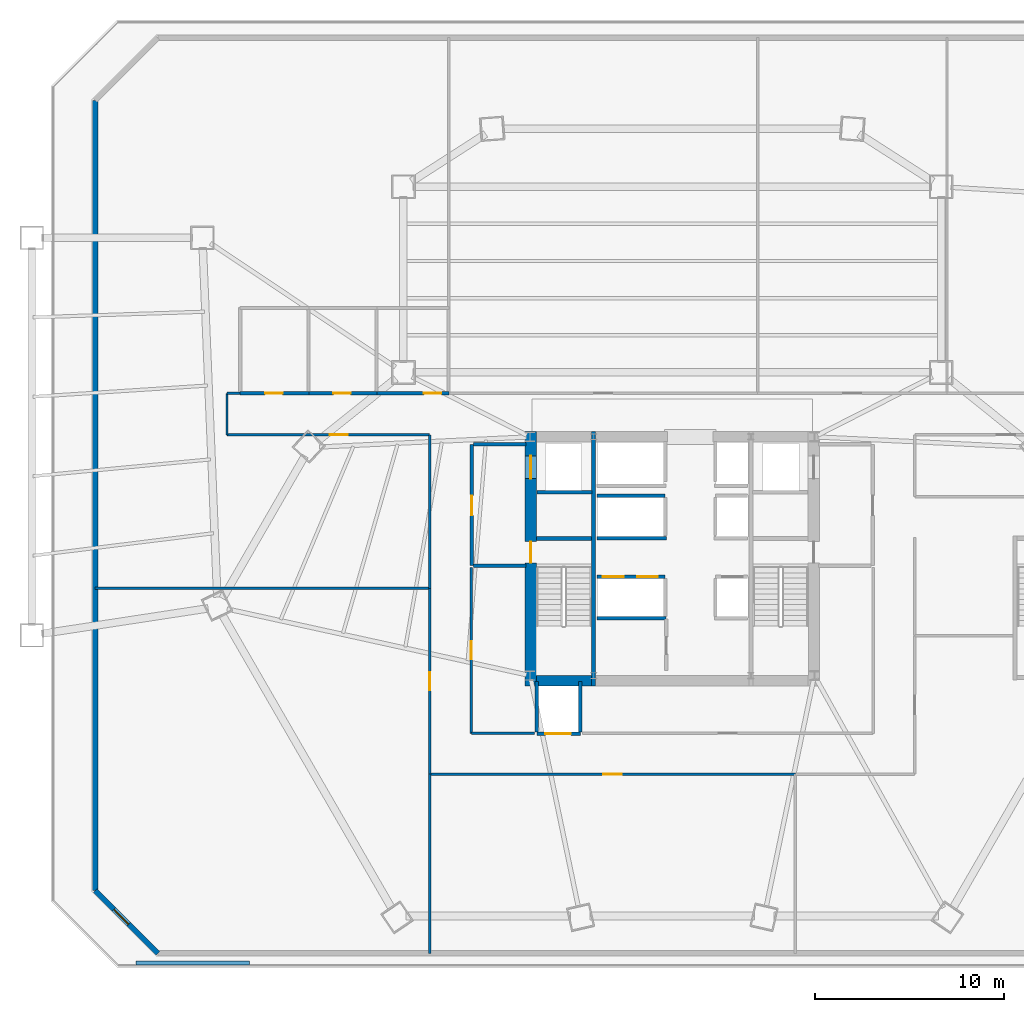
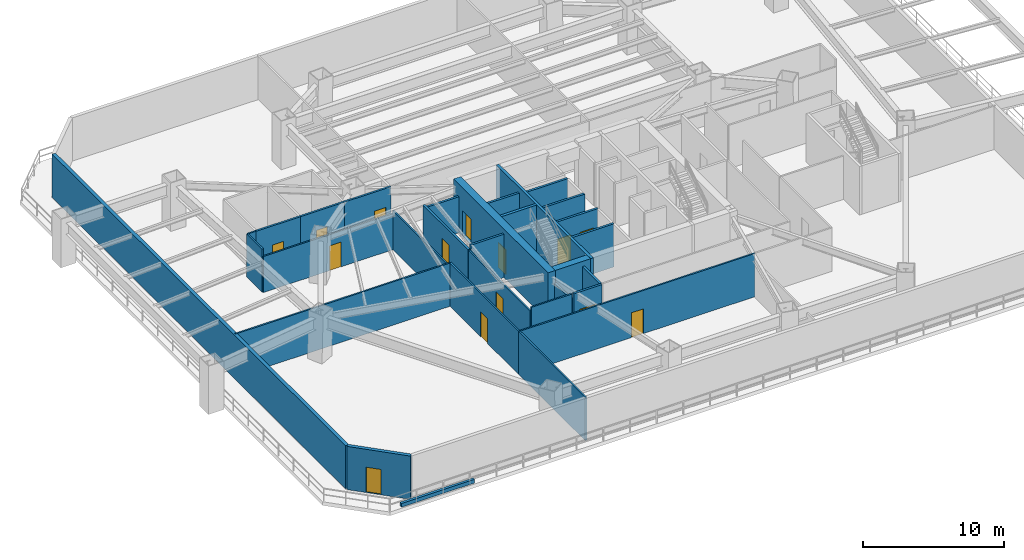
# One storey, part 5 of 12: 31 walls, 14 doors, 14 openings.
"""IFC4 building model written with IfcOpenShell, lengths in metres."""

from ifc_helpers import new_model, si_unit, direction, frame, frame_2d, origin, place, context, subcontext, project, spatial, rectangle, extrude, material, layer, layer_set, type_object, element, fill, save


model = new_model("IFC4")

# Units and contexts
model_context = context("Model", 3, precision=1e-05, world=origin(), true_north=direction((0.0, 1.0)))
body_context = subcontext(model_context, "Body", "Model", "MODEL_VIEW")
ifc_project = project(units=[si_unit("LENGTHUNIT", "METRE"), si_unit("AREAUNIT", "SQUARE_METRE"), si_unit("VOLUMEUNIT", "CUBIC_METRE"), si_unit("PLANEANGLEUNIT", "RADIAN"), si_unit("MASSUNIT", "GRAM", prefix="KILO")], contexts=[model_context])

# Site, building, storey
site_placement = place(None, origin())
site = spatial("IfcSite", under=ifc_project, at=site_placement, CompositionType="ELEMENT")
building_placement = place(site_placement, origin())
building = spatial("IfcBuilding", under=site, at=building_placement, Name="Caelisora Broadcast Tower", CompositionType="ELEMENT")
storey_placement = place(building_placement, frame((0.0, 0.0, 18.89990234375)))
storey = spatial("IfcBuildingStorey", under=building, at=storey_placement, Name="L04", CompositionType="ELEMENT", Elevation=18.89990234375)

# Wall, openings, doors
ifc_material_1 = material(Name="Concrete 65 MPa (AS 3600 S65)", Category="concrete")
ifc_layer_1 = layer(ifc_material_1, 0.60009765625, Name="Concrete 65 MPa (AS 3600 S65)")
ifc_layer_set_1 = layer_set([ifc_layer_1], Name="Concrete 65 MPa (AS 3600 S65)")
wall_type_1 = type_object("IfcWallType", Name="CW1", PredefinedType="SHEAR", material=ifc_layer_set_1)
wall_1_placement = place(storey_placement, frame((30.5400390625, 16.85009765625, 0.0), z_axis=(0.0, 0.0, 1.0), x_axis=(0.0, 1.0, 0.0)))
wall_1 = element("IfcWall", 1, at=wall_1_placement, inside=storey, type_object=wall_type_1, Name="L04 core shear wall CW1", PredefinedType="SHEAR", context=body_context, shape_type="SweptSolid", body=[
    extrude(rectangle(XDim=13.4248046875, YDim=0.60009765625, at=frame_2d((6.71240234375, 0.0))), origin(), (0.0, 0.0, 1.0), 4.2001953125),
])
opening_1_placement = place(wall_1_placement, frame((6.5, 0.0, 0.0)))
opening_1 = element("IfcOpeningElement", 2, at=opening_1_placement, cuts=wall_1, Name="Opening FD04", PredefinedType="OPENING", context=body_context, shape_type="SweptSolid", body=[
    extrude(rectangle(XDim=1.1201171875, YDim=2.14990234375, at=frame_2d((0.56005859375, 1.074951171875))), frame((0.0, 0.31201171875, 0.0), z_axis=(0.0, -1.0, 0.0), x_axis=(1.0, 0.0, 0.0)), (0.0, 0.0, 1.0), 0.6240234375),
])
opening_2_placement = place(wall_1_placement, frame((10.949951171875, 0.0, 0.0)))
opening_2 = element("IfcOpeningElement", 3, at=opening_2_placement, cuts=wall_1, Name="Opening LD04", PredefinedType="OPENING", context=body_context, shape_type="SweptSolid", body=[
    extrude(rectangle(XDim=1.199951171875, YDim=2.199951171875, at=frame_2d((0.60009765625, 1.10009765625))), frame((0.0, 0.31201171875, 0.0), z_axis=(0.0, -1.0, 0.0), x_axis=(1.0, 0.0, 0.0)), (0.0, 0.0, 1.0), 0.6240234375),
])
ifc_material_2 = material(Name="Pressurised Fire-Isolated Stair Door", Category="steel")
door_type_1 = type_object("IfcDoorType", Name="FD04", OperationType="NOTDEFINED", PredefinedType="DOOR", material=ifc_material_2)
door_1_placement = place(opening_1_placement, origin())
door_1 = element("IfcDoor", 4, at=door_1_placement, inside=storey, type_object=door_type_1, Name="L04 door FD04 (L04-DR-ST1)", OperationType="SINGLE_SWING_LEFT", OverallHeight=2.14990234375, OverallWidth=1.1201171875, PredefinedType="DOOR", context=body_context, shape_type="SweptSolid", body=[
    extrude(rectangle(XDim=1.1201171875, YDim=2.14990234375, at=frame_2d((0.56005859375, 1.074951171875))), frame((0.0, 0.02490234375, 0.0), z_axis=(0.0, -1.0, 0.0), x_axis=(1.0, 0.0, 0.0)), (0.0, 0.0, 1.0), 0.050048828125),
])
fill(opening_1, door_1)
ifc_material_3 = material(Name="Emergency Firefighting Lift Sliding Landing Door", Category="steel")
door_type_2 = type_object("IfcDoorType", Name="LD04", OperationType="NOTDEFINED", PredefinedType="DOOR", material=ifc_material_3)
door_2_placement = place(opening_2_placement, origin())
door_2 = element("IfcDoor", 5, at=door_2_placement, inside=storey, type_object=door_type_2, Name="L04 door LD04 (L04-LD-FFL1)", OperationType="SLIDING_TO_LEFT", OverallHeight=2.199951171875, OverallWidth=1.199951171875, PredefinedType="DOOR", context=body_context, shape_type="SweptSolid", body=[
    extrude(rectangle(XDim=1.199951171875, YDim=2.199951171875, at=frame_2d((0.60009765625, 1.10009765625))), frame((0.0, 0.02490234375, 0.0), z_axis=(0.0, -1.0, 0.0), x_axis=(1.0, 0.0, 0.0)), (0.0, 0.0, 1.0), 0.050048828125),
])
fill(opening_2, door_2)

# Walls
ifc_layer_2 = layer(ifc_material_1, 0.550048828125, Name="Concrete 65 MPa (AS 3600 S65)")
ifc_layer_set_2 = layer_set([ifc_layer_2], Name="Concrete 65 MPa (AS 3600 S65)")
wall_type_2 = type_object("IfcWallType", Name="CW4", PredefinedType="SHEAR", material=ifc_layer_set_2)
wall_2_placement = place(storey_placement, frame((30.840087890625, 17.125, 0.0), z_axis=(0.0, 0.0, 1.0), x_axis=(1.0, 0.0, 0.0)))
element("IfcWall", 6, at=wall_2_placement, inside=storey, type_object=wall_type_2, Name="L04 core shear wall CW4", PredefinedType="SHEAR", context=body_context, shape_type="SweptSolid", body=[
    extrude(rectangle(XDim=2.89990234375, YDim=0.550048828125, at=frame_2d((1.449951171875, 0.0))), origin(), (0.0, 0.0, 1.0), 4.2001953125),
])
ifc_material_4 = material(Name="Concrete 50 MPa (AS 3600 S50)", Category="concrete")
ifc_layer_3 = layer(ifc_material_4, 0.219970703125, Name="Concrete 50 MPa (AS 3600 S50)")
ifc_layer_set_3 = layer_set([ifc_layer_3], Name="Concrete 50 MPa (AS 3600 S50)")
wall_type_3 = type_object("IfcWallType", Name="CW7", PredefinedType="SHEAR", material=ifc_layer_set_3)
wall_3_placement = place(storey_placement, frame((33.85009765625, 16.85009765625, 0.0), z_axis=(0.0, 0.0, 1.0), x_axis=(0.0, 1.0, 0.0)))
element("IfcWall", 7, at=wall_3_placement, inside=storey, type_object=wall_type_3, Name="L04 core shear wall CW7", PredefinedType="SHEAR", context=body_context, shape_type="SweptSolid", body=[
    extrude(rectangle(XDim=13.4248046875, YDim=0.219970703125, at=frame_2d((6.71240234375, 0.0))), origin(), (0.0, 0.0, 1.0), 4.2001953125),
])
wall_4_placement = place(storey_placement, frame((30.840087890625, 24.639892578125, 0.0), z_axis=(0.0, 0.0, 1.0), x_axis=(1.0, 0.0, 0.0)))
element("IfcWall", 8, at=wall_4_placement, inside=storey, type_object=wall_type_3, Name="L04 core shear wall CW7", PredefinedType="SHEAR", context=body_context, shape_type="SweptSolid", body=[
    extrude(rectangle(XDim=2.89990234375, YDim=0.219970703125, at=frame_2d((1.449951171875, 0.0))), origin(), (0.0, 0.0, 1.0), 4.2001953125),
])

# Wall, opening, door
ifc_material_5 = material(Name="Insulated Terracotta Spandrel Wall System", Category="masonry")
ifc_layer_4 = layer(ifc_material_5, 0.280029296875, Name="Insulated Terracotta Spandrel Wall System")
ifc_layer_set_4 = layer_set([ifc_layer_4], Name="Insulated Terracotta Spandrel Wall System")
wall_type_4 = type_object("IfcWallType", Name="EW1", PredefinedType="STANDARD", material=ifc_layer_set_4)
wall_5_placement = place(storey_placement, frame((10.841064453125, 2.739990234375, 0.0), z_axis=(0.0, 0.0, 1.0), x_axis=(-0.707106781187, 0.707106781187, 0.0)))
wall_5 = element("IfcWall", 9, at=wall_5_placement, inside=storey, type_object=wall_type_4, Name="L04 exterior envelope wall EW1", PredefinedType="STANDARD", context=body_context, shape_type="SweptSolid", body=[
    extrude(rectangle(XDim=4.66845703125, YDim=0.280029296875, at=frame_2d((2.334228515625, 0.0))), origin(), (0.0, 0.0, 1.0), 3.75),
])
opening_3_placement = place(wall_5_placement, frame((2.169921875, 0.0, 0.0)))
opening_3 = element("IfcOpeningElement", 10, at=opening_3_placement, cuts=wall_5, Name="Opening D04", PredefinedType="OPENING", context=body_context, shape_type="SweptSolid", body=[
    extrude(rectangle(XDim=1.10009765625, YDim=2.199951171875, at=frame_2d((0.550048828125, 1.10009765625))), frame((0.0, 0.152099609375, 0.0), z_axis=(0.0, -1.0, 0.0), x_axis=(1.0, 0.0, 0.0)), (0.0, 0.0, 1.0), 0.303955078125),
])
ifc_material_6 = material(Name="Aluminium Framed Double-Glazed Terrace Door", Category="aluminium")
door_type_3 = type_object("IfcDoorType", Name="D04", OperationType="NOTDEFINED", PredefinedType="DOOR", material=ifc_material_6)
door_3_placement = place(opening_3_placement, origin())
door_3 = element("IfcDoor", 11, at=door_3_placement, inside=storey, type_object=door_type_3, Name="L04 door D04 (L04-DR-TER)", OperationType="SINGLE_SWING_LEFT", OverallHeight=2.199951171875, OverallWidth=1.10009765625, PredefinedType="DOOR", context=body_context, shape_type="SweptSolid", body=[
    extrude(rectangle(XDim=1.10009765625, YDim=2.199951171875, at=frame_2d((0.550048828125, 1.10009765625))), frame((0.0, 0.02490234375, 0.0), z_axis=(0.0, -1.0, 0.0), x_axis=(1.0, 0.0, 0.0)), (0.0, 0.0, 1.0), 0.050048828125),
])
fill(opening_3, door_3)

# Walls
wall_6_placement = place(storey_placement, frame((7.5400390625, 6.06103515625, 0.0), z_axis=(0.0, 0.0, 1.0), x_axis=(0.0, 1.0, 0.0)))
element("IfcWall", 12, at=wall_6_placement, inside=storey, type_object=wall_type_4, Name="L04 exterior envelope wall EW1", PredefinedType="STANDARD", context=body_context, shape_type="SweptSolid", body=[
    extrude(rectangle(XDim=41.677978515625, YDim=0.280029296875, at=frame_2d((20.8388671875, 0.0))), origin(), (0.0, 0.0, 1.0), 3.75),
])
ifc_material_7 = material(Name="Precast Concrete 40 MPa (AS 3600 N40)", Category="concrete")
ifc_layer_5 = layer(ifc_material_7, 0.2099609375, Name="Precast Concrete 40 MPa (AS 3600 N40)")
ifc_layer_set_5 = layer_set([ifc_layer_5], Name="Precast Concrete 40 MPa (AS 3600 N40)")
wall_type_5 = type_object("IfcWallType", Name="EW3", PredefinedType="PARAPET", material=ifc_layer_set_5)
wall_7_placement = place(storey_placement, frame((9.699951171875, 2.219970703125, 0.0), z_axis=(0.0, 0.0, 1.0), x_axis=(1.0, 0.0, 0.0)))
element("IfcWall", 13, at=wall_7_placement, inside=storey, type_object=wall_type_5, Name="L04 terrace parapet wall EW3", PredefinedType="PARAPET", context=body_context, shape_type="SweptSolid", body=[
    extrude(rectangle(XDim=6.0, YDim=0.2099609375, at=frame_2d((3.0, 0.0))), origin(), (0.0, 0.0, 1.0), 0.320068359375),
])

# Wall, opening, door
ifc_material_8 = material(Name="Fire-Rated Gypsum Shaft and Compartment Wall", Category="gypsum")
ifc_layer_6 = layer(ifc_material_8, 0.179931640625, Name="Fire-Rated Gypsum Shaft and Compartment Wall")
ifc_layer_set_6 = layer_set([ifc_layer_6], Name="Fire-Rated Gypsum Shaft and Compartment Wall")
wall_type_6 = type_object("IfcWallType", Name="PW2", PredefinedType="PARTITIONING", material=ifc_layer_set_6)
wall_8_placement = place(storey_placement, frame((30.85009765625, 14.320068359375, 0.0), z_axis=(0.0, 0.0, 1.0), x_axis=(1.0, 0.0, 0.0)))
wall_8 = element("IfcWall", 14, at=wall_8_placement, inside=storey, type_object=wall_type_6, Name="L04 fire compartment wall PW2", PredefinedType="PARTITIONING", context=body_context, shape_type="SweptSolid", body=[
    extrude(rectangle(XDim=2.2998046875, YDim=0.179931640625, at=frame_2d((1.14990234375, 0.0))), origin(), (0.0, 0.0, 1.0), 3.75),
])
opening_4_placement = place(wall_8_placement, frame((0.449951171875, 0.0, 0.0)))
opening_4 = element("IfcOpeningElement", 15, at=opening_4_placement, cuts=wall_8, Name="Opening LD03", PredefinedType="OPENING", context=body_context, shape_type="SweptSolid", body=[
    extrude(rectangle(XDim=1.35009765625, YDim=2.25, at=frame_2d((0.675048828125, 1.125))), frame((0.0, 0.10205078125, 0.0), z_axis=(0.0, -1.0, 0.0), x_axis=(1.0, 0.0, 0.0)), (0.0, 0.0, 1.0), 0.203857421875),
])
ifc_material_9 = material(Name="Heavy-Duty Goods Lift Sliding Landing Door", Category="steel")
door_type_4 = type_object("IfcDoorType", Name="LD03", OperationType="NOTDEFINED", PredefinedType="DOOR", material=ifc_material_9)
door_4_placement = place(opening_4_placement, origin())
door_4 = element("IfcDoor", 16, at=door_4_placement, inside=storey, type_object=door_type_4, Name="L04 door LD03 (L04-LD-GL1)", OperationType="SLIDING_TO_LEFT", OverallHeight=2.25, OverallWidth=1.35009765625, PredefinedType="DOOR", context=body_context, shape_type="SweptSolid", body=[
    extrude(rectangle(XDim=1.35009765625, YDim=2.25, at=frame_2d((0.675048828125, 1.125))), frame((0.0, 0.02490234375, 0.0), z_axis=(0.0, -1.0, 0.0), x_axis=(1.0, 0.0, 0.0)), (0.0, 0.0, 1.0), 0.050048828125),
])
fill(opening_4, door_4)

# Walls
wall_9_placement = place(storey_placement, frame((30.85009765625, 14.419921875, 0.0), z_axis=(0.0, 0.0, 1.0), x_axis=(0.0, 1.0, 0.0)))
element("IfcWall", 17, at=wall_9_placement, inside=storey, type_object=wall_type_6, Name="L04 fire compartment wall PW2", PredefinedType="PARTITIONING", context=body_context, shape_type="SweptSolid", body=[
    extrude(rectangle(XDim=2.66015625, YDim=0.179931640625, at=frame_2d((1.330078125, 0.0))), origin(), (0.0, 0.0, 1.0), 3.12353515625),
])
wall_10_placement = place(storey_placement, frame((33.14990234375, 14.419921875, 0.0), z_axis=(0.0, 0.0, 1.0), x_axis=(0.0, 1.0, 0.0)))
element("IfcWall", 18, at=wall_10_placement, inside=storey, type_object=wall_type_6, Name="L04 fire compartment wall PW2", PredefinedType="PARTITIONING", context=body_context, shape_type="SweptSolid", body=[
    extrude(rectangle(XDim=2.66015625, YDim=0.179931640625, at=frame_2d((1.330078125, 0.0))), origin(), (0.0, 0.0, 1.0), 3.75),
])

# Wall, openings, doors
wall_11_placement = place(storey_placement, frame((34.02001953125, 22.6201171875, 0.0), z_axis=(0.0, 0.0, 1.0), x_axis=(1.0, 0.0, 0.0)))
wall_11 = element("IfcWall", 19, at=wall_11_placement, inside=storey, type_object=wall_type_6, Name="L04 fire compartment wall PW2", PredefinedType="PARTITIONING", context=body_context, shape_type="SweptSolid", body=[
    extrude(rectangle(XDim=3.60009765625, YDim=0.179931640625, at=frame_2d((1.800048828125, 0.0))), origin(), (0.0, 0.0, 1.0), 3.75),
])
opening_5_placement = place(wall_11_placement, frame((0.320068359375, 0.0, 0.0)))
opening_5 = element("IfcOpeningElement", 20, at=opening_5_placement, cuts=wall_11, Name="Opening LD01", PredefinedType="OPENING", context=body_context, shape_type="SweptSolid", body=[
    extrude(rectangle(XDim=1.10009765625, YDim=2.199951171875, at=frame_2d((0.550048828125, 1.10009765625))), frame((0.0, 0.10205078125, 0.0), z_axis=(0.0, -1.0, 0.0), x_axis=(1.0, 0.0, 0.0)), (0.0, 0.0, 1.0), 0.203857421875),
])
opening_6_placement = place(wall_11_placement, frame((2.1201171875, 0.0, 0.0)))
opening_6 = element("IfcOpeningElement", 21, at=opening_6_placement, cuts=wall_11, Name="Opening LD01", PredefinedType="OPENING", context=body_context, shape_type="SweptSolid", body=[
    extrude(rectangle(XDim=1.10009765625, YDim=2.199951171875, at=frame_2d((0.550048828125, 1.10009765625))), frame((0.0, 0.10205078125, 0.0), z_axis=(0.0, -1.0, 0.0), x_axis=(1.0, 0.0, 0.0)), (0.0, 0.0, 1.0), 0.203857421875),
])
ifc_material_10 = material(Name="Stainless Steel Centre-Parting Lift Landing Door", Category="steel")
door_type_5 = type_object("IfcDoorType", Name="LD01", OperationType="NOTDEFINED", PredefinedType="DOOR", material=ifc_material_10)
door_5_placement = place(opening_5_placement, origin())
door_5 = element("IfcDoor", 22, at=door_5_placement, inside=storey, type_object=door_type_5, Name="L04 door LD01 (L04-LD-PLL1)", OperationType="SLIDING_TO_LEFT", OverallHeight=2.199951171875, OverallWidth=1.10009765625, PredefinedType="DOOR", context=body_context, shape_type="SweptSolid", body=[
    extrude(rectangle(XDim=1.10009765625, YDim=2.199951171875, at=frame_2d((0.550048828125, 1.10009765625))), frame((0.0, 0.02490234375, 0.0), z_axis=(0.0, -1.0, 0.0), x_axis=(1.0, 0.0, 0.0)), (0.0, 0.0, 1.0), 0.050048828125),
])
fill(opening_5, door_5)
door_6_placement = place(opening_6_placement, origin())
door_6 = element("IfcDoor", 23, at=door_6_placement, inside=storey, type_object=door_type_5, Name="L04 door LD01 (L04-LD-PLL2)", OperationType="SLIDING_TO_RIGHT", OverallHeight=2.199951171875, OverallWidth=1.10009765625, PredefinedType="DOOR", context=body_context, shape_type="SweptSolid", body=[
    extrude(rectangle(XDim=1.10009765625, YDim=2.199951171875, at=frame_2d((0.550048828125, 1.10009765625))), frame((0.0, 0.02490234375, 0.0), z_axis=(0.0, -1.0, 0.0), x_axis=(1.0, 0.0, 0.0)), (0.0, 0.0, 1.0), 0.050048828125),
])
fill(opening_6, door_6)

# Walls
wall_12_placement = place(storey_placement, frame((34.02001953125, 26.89990234375, 0.0), z_axis=(0.0, 0.0, 1.0), x_axis=(1.0, 0.0, 0.0)))
element("IfcWall", 24, at=wall_12_placement, inside=storey, type_object=wall_type_6, Name="L04 fire compartment wall PW2", PredefinedType="PARTITIONING", context=body_context, shape_type="SweptSolid", body=[
    extrude(rectangle(XDim=3.60009765625, YDim=0.179931640625, at=frame_2d((1.800048828125, 0.0))), origin(), (0.0, 0.0, 1.0), 3.75),
])
wall_13_placement = place(storey_placement, frame((34.02001953125, 24.639892578125, 0.0), z_axis=(0.0, 0.0, 1.0), x_axis=(1.0, 0.0, 0.0)))
element("IfcWall", 25, at=wall_13_placement, inside=storey, type_object=wall_type_6, Name="L04 fire compartment wall PW2", PredefinedType="PARTITIONING", context=body_context, shape_type="SweptSolid", body=[
    extrude(rectangle(XDim=3.679931640625, YDim=0.179931640625, at=frame_2d((1.83984375, 0.0))), origin(), (0.0, 0.0, 1.0), 3.75),
])

# Wall, opening, door
wall_14_placement = place(storey_placement, frame((27.419921875, 23.199951171875, 0.0), z_axis=(0.0, 0.0, 1.0), x_axis=(0.0, 1.0, 0.0)))
wall_14 = element("IfcWall", 26, at=wall_14_placement, inside=storey, type_object=wall_type_6, Name="L04 fire compartment wall PW2", PredefinedType="PARTITIONING", context=body_context, shape_type="SweptSolid", body=[
    extrude(rectangle(XDim=6.400146484375, YDim=0.179931640625, at=frame_2d((3.2001953125, 0.0))), origin(), (0.0, 0.0, 1.0), 3.37646484375),
])
opening_7_placement = place(wall_14_placement, frame((2.64990234375, 0.0, 0.0)))
opening_7 = element("IfcOpeningElement", 27, at=opening_7_placement, cuts=wall_14, Name="Opening FD02", PredefinedType="OPENING", context=body_context, shape_type="SweptSolid", body=[
    extrude(rectangle(XDim=1.050048828125, YDim=2.14990234375, at=frame_2d((0.52490234375, 1.074951171875))), frame((0.0, 0.10205078125, 0.0), z_axis=(0.0, -1.0, 0.0), x_axis=(1.0, 0.0, 0.0)), (0.0, 0.0, 1.0), 0.203857421875),
])
ifc_material_11 = material(Name="Single-Leaf Steel Fire Lobby Door", Category="steel")
door_type_6 = type_object("IfcDoorType", Name="FD02", OperationType="NOTDEFINED", PredefinedType="DOOR", material=ifc_material_11)
door_7_placement = place(opening_7_placement, origin())
door_7 = element("IfcDoor", 28, at=door_7_placement, inside=storey, type_object=door_type_6, Name="L04 door FD02 (L04-DR-P01D1)", OperationType="SINGLE_SWING_LEFT", OverallHeight=2.14990234375, OverallWidth=1.050048828125, PredefinedType="DOOR", context=body_context, shape_type="SweptSolid", body=[
    extrude(rectangle(XDim=1.050048828125, YDim=2.14990234375, at=frame_2d((0.52490234375, 1.074951171875))), frame((0.0, 0.02490234375, 0.0), z_axis=(0.0, -1.0, 0.0), x_axis=(1.0, 0.0, 0.0)), (0.0, 0.0, 1.0), 0.050048828125),
])
fill(opening_7, door_7)

# Walls
wall_15_placement = place(storey_placement, frame((27.52001953125, 23.199951171875, 0.0), z_axis=(0.0, 0.0, 1.0), x_axis=(1.0, 0.0, 0.0)))
element("IfcWall", 29, at=wall_15_placement, inside=storey, type_object=wall_type_6, Name="L04 fire compartment wall PW2", PredefinedType="PARTITIONING", context=body_context, shape_type="SweptSolid", body=[
    extrude(rectangle(XDim=2.760009765625, YDim=0.179931640625, at=frame_2d((1.3798828125, 0.0))), origin(), (0.0, 0.0, 1.0), 3.75),
])
wall_16_placement = place(storey_placement, frame((27.52001953125, 29.60009765625, 0.0), z_axis=(0.0, 0.0, 1.0), x_axis=(1.0, 0.0, 0.0)))
element("IfcWall", 30, at=wall_16_placement, inside=storey, type_object=wall_type_6, Name="L04 fire compartment wall PW2", PredefinedType="PARTITIONING", context=body_context, shape_type="SweptSolid", body=[
    extrude(rectangle(XDim=2.760009765625, YDim=0.179931640625, at=frame_2d((1.3798828125, 0.0))), origin(), (0.0, 0.0, 1.0), 3.12353515625),
])
wall_17_placement = place(storey_placement, frame((30.860107421875, 27.070068359375, 0.0), z_axis=(0.0, 0.0, 1.0), x_axis=(1.0, 0.0, 0.0)))
element("IfcWall", 31, at=wall_17_placement, inside=storey, type_object=wall_type_6, Name="L04 fire compartment wall PW2", PredefinedType="PARTITIONING", context=body_context, shape_type="SweptSolid", body=[
    extrude(rectangle(XDim=2.89990234375, YDim=0.179931640625, at=frame_2d((1.449951171875, 0.0))), origin(), (0.0, 0.0, 1.0), 3.75),
])
wall_18_placement = place(storey_placement, frame((34.02001953125, 20.419921875, 0.0), z_axis=(0.0, 0.0, 1.0), x_axis=(1.0, 0.0, 0.0)))
element("IfcWall", 32, at=wall_18_placement, inside=storey, type_object=wall_type_6, Name="L04 fire compartment wall PW2", PredefinedType="PARTITIONING", context=body_context, shape_type="SweptSolid", body=[
    extrude(rectangle(XDim=3.639892578125, YDim=0.179931640625, at=frame_2d((1.81982421875, 0.0))), origin(), (0.0, 0.0, 1.0), 3.75),
])

# Wall, opening, door
ifc_material_12 = material(Name="Acoustic Steel-Stud Plasterboard Partition", Category="gypsum")
ifc_layer_7 = layer(ifc_material_12, 0.1298828125, Name="Acoustic Steel-Stud Plasterboard Partition")
ifc_layer_set_7 = layer_set([ifc_layer_7], Name="Acoustic Steel-Stud Plasterboard Partition")
wall_type_7 = type_object("IfcWallType", Name="PW3", PredefinedType="PARTITIONING", material=ifc_layer_set_7)
wall_19_placement = place(storey_placement, frame((25.205078125, 12.199951171875, 0.0), z_axis=(0.0, 0.0, 1.0), x_axis=(1.0, 0.0, 0.0)))
wall_19 = element("IfcWall", 33, at=wall_19_placement, inside=storey, type_object=wall_type_7, Name="L04 internal partition PW3", PredefinedType="PARTITIONING", context=body_context, shape_type="SweptSolid", body=[
    extrude(rectangle(XDim=19.2900390625, YDim=0.1298828125, at=frame_2d((9.64501953125, 0.0))), origin(), (0.0, 0.0, 1.0), 3.75),
])
opening_8_placement = place(wall_19_placement, frame((9.1650390625, 0.0, 0.0)))
opening_8 = element("IfcOpeningElement", 34, at=opening_8_placement, cuts=wall_19, Name="Opening D01", PredefinedType="OPENING", context=body_context, shape_type="SweptSolid", body=[
    extrude(rectangle(XDim=0.9599609375, YDim=2.14990234375, at=frame_2d((0.47998046875, 1.074951171875))), frame((0.0, 0.076904296875, 0.0), z_axis=(0.0, -1.0, 0.0), x_axis=(1.0, 0.0, 0.0)), (0.0, 0.0, 1.0), 0.15380859375),
])
ifc_material_13 = material(Name="Solid-Core Timber Acoustic Office Door", Category="wood")
door_type_7 = type_object("IfcDoorType", Name="D01", OperationType="NOTDEFINED", PredefinedType="DOOR", material=ifc_material_13)
door_8_placement = place(opening_8_placement, origin())
door_8 = element("IfcDoor", 35, at=door_8_placement, inside=storey, type_object=door_type_7, Name="L04 door D01 (L04-DR-P22D1)", OperationType="SINGLE_SWING_LEFT", OverallHeight=2.14990234375, OverallWidth=0.9599609375, PredefinedType="DOOR", context=body_context, shape_type="SweptSolid", body=[
    extrude(rectangle(XDim=0.9599609375, YDim=2.14990234375, at=frame_2d((0.47998046875, 1.074951171875))), frame((0.0, 0.02490234375, 0.0), z_axis=(0.0, -1.0, 0.0), x_axis=(1.0, 0.0, 0.0)), (0.0, 0.0, 1.0), 0.050048828125),
])
fill(opening_8, door_8)

# Wall
wall_20_placement = place(storey_placement, frame((7.530029296875, 22.0, 0.0), z_axis=(0.0, 0.0, 1.0), x_axis=(1.0, 0.0, 0.0)))
element("IfcWall", 36, at=wall_20_placement, inside=storey, type_object=wall_type_7, Name="L04 internal partition PW3", PredefinedType="PARTITIONING", context=body_context, shape_type="SweptSolid", body=[
    extrude(rectangle(XDim=17.6650390625, YDim=0.1298828125, at=frame_2d((8.83251953125, 0.0))), origin(), (0.0, 0.0, 1.0), 3.75),
])

# Wall, opening, door
wall_21_placement = place(storey_placement, frame((25.195068359375, 30.10009765625, 0.0), z_axis=(0.0, 0.0, 1.0), x_axis=(-1.0, 0.0, 0.0)))
wall_21 = element("IfcWall", 37, at=wall_21_placement, inside=storey, type_object=wall_type_7, Name="L04 internal partition PW3", PredefinedType="PARTITIONING", context=body_context, shape_type="SweptSolid", body=[
    extrude(rectangle(XDim=10.690185546875, YDim=0.1298828125, at=frame_2d((5.34521484375, 0.0))), origin(), (0.0, 0.0, 1.0), 3.12353515625),
])
opening_9_placement = place(wall_21_placement, frame((4.320068359375, 0.0, 0.0)))
opening_9 = element("IfcOpeningElement", 38, at=opening_9_placement, cuts=wall_21, Name="Opening D01", PredefinedType="OPENING", context=body_context, shape_type="SweptSolid", body=[
    extrude(rectangle(XDim=0.9599609375, YDim=2.14990234375, at=frame_2d((0.47998046875, 1.074951171875))), frame((0.0, 0.076904296875, 0.0), z_axis=(0.0, -1.0, 0.0), x_axis=(1.0, 0.0, 0.0)), (0.0, 0.0, 1.0), 0.15380859375),
])
door_9_placement = place(opening_9_placement, origin())
door_9 = element("IfcDoor", 39, at=door_9_placement, inside=storey, type_object=door_type_7, Name="L04 door D01 (L04-DR-P30D1)", OperationType="SINGLE_SWING_LEFT", OverallHeight=2.14990234375, OverallWidth=0.9599609375, PredefinedType="DOOR", context=body_context, shape_type="SweptSolid", body=[
    extrude(rectangle(XDim=0.9599609375, YDim=2.14990234375, at=frame_2d((0.47998046875, 1.074951171875))), frame((0.0, 0.02490234375, 0.0), z_axis=(0.0, -1.0, 0.0), x_axis=(1.0, 0.0, 0.0)), (0.0, 0.0, 1.0), 0.050048828125),
])
fill(opening_9, door_9)

wall_22_placement = place(storey_placement, frame((25.199951171875, 12.205078125, 0.0), z_axis=(0.0, 0.0, 1.0), x_axis=(0.0, 1.0, 0.0)))
wall_22 = element("IfcWall", 40, at=wall_22_placement, inside=storey, type_object=wall_type_7, Name="L04 internal partition PW3", PredefinedType="PARTITIONING", context=body_context, shape_type="SweptSolid", body=[
    extrude(rectangle(XDim=9.7900390625, YDim=0.1298828125, at=frame_2d((4.89501953125, 0.0))), origin(), (0.0, 0.0, 1.0), 3.75),
])
opening_10_placement = place(wall_22_placement, frame((4.4150390625, 0.0, 0.0)))
opening_10 = element("IfcOpeningElement", 41, at=opening_10_placement, cuts=wall_22, Name="Opening D01", PredefinedType="OPENING", context=body_context, shape_type="SweptSolid", body=[
    extrude(rectangle(XDim=0.9599609375, YDim=2.14990234375, at=frame_2d((0.47998046875, 1.074951171875))), frame((0.0, 0.076904296875, 0.0), z_axis=(0.0, -1.0, 0.0), x_axis=(1.0, 0.0, 0.0)), (0.0, 0.0, 1.0), 0.15380859375),
])
door_10_placement = place(opening_10_placement, origin())
door_10 = element("IfcDoor", 42, at=door_10_placement, inside=storey, type_object=door_type_7, Name="L04 door D01 (L04-DR-P33D1)", OperationType="SINGLE_SWING_LEFT", OverallHeight=2.14990234375, OverallWidth=0.9599609375, PredefinedType="DOOR", context=body_context, shape_type="SweptSolid", body=[
    extrude(rectangle(XDim=0.9599609375, YDim=2.14990234375, at=frame_2d((0.47998046875, 1.074951171875))), frame((0.0, 0.02490234375, 0.0), z_axis=(0.0, -1.0, 0.0), x_axis=(1.0, 0.0, 0.0)), (0.0, 0.0, 1.0), 0.050048828125),
])
fill(opening_10, door_10)

# Wall
wall_23_placement = place(storey_placement, frame((25.199951171875, 2.72998046875, 0.0), z_axis=(0.0, 0.0, 1.0), x_axis=(0.0, 1.0, 0.0)))
element("IfcWall", 43, at=wall_23_placement, inside=storey, type_object=wall_type_7, Name="L04 internal partition PW3", PredefinedType="PARTITIONING", context=body_context, shape_type="SweptSolid", body=[
    extrude(rectangle(XDim=9.465087890625, YDim=0.1298828125, at=frame_2d((4.732421875, 0.0))), origin(), (0.0, 0.0, 1.0), 3.75),
])

# Wall, opening, door
wall_24_placement = place(storey_placement, frame((27.39990234375, 14.35498046875, 0.0), z_axis=(0.0, 0.0, 1.0), x_axis=(0.0, 1.0, 0.0)))
wall_24 = element("IfcWall", 44, at=wall_24_placement, inside=storey, type_object=wall_type_7, Name="L04 internal partition PW3", PredefinedType="PARTITIONING", context=body_context, shape_type="SweptSolid", body=[
    extrude(rectangle(XDim=8.75, YDim=0.1298828125, at=frame_2d((4.375, 0.0))), origin(), (0.0, 0.0, 1.0), 3.37646484375),
])
opening_11_placement = place(wall_24_placement, frame((3.89501953125, 0.0, 0.0)))
opening_11 = element("IfcOpeningElement", 45, at=opening_11_placement, cuts=wall_24, Name="Opening D01", PredefinedType="OPENING", context=body_context, shape_type="SweptSolid", body=[
    extrude(rectangle(XDim=0.9599609375, YDim=2.14990234375, at=frame_2d((0.47998046875, 1.074951171875))), frame((0.0, 0.076904296875, 0.0), z_axis=(0.0, -1.0, 0.0), x_axis=(1.0, 0.0, 0.0)), (0.0, 0.0, 1.0), 0.15380859375),
])
door_11_placement = place(opening_11_placement, origin())
door_11 = element("IfcDoor", 46, at=door_11_placement, inside=storey, type_object=door_type_7, Name="L04 door D01 (L04-DR-P38D1)", OperationType="SINGLE_SWING_RIGHT", OverallHeight=2.14990234375, OverallWidth=0.9599609375, PredefinedType="DOOR", context=body_context, shape_type="SweptSolid", body=[
    extrude(rectangle(XDim=0.9599609375, YDim=2.14990234375, at=frame_2d((0.47998046875, 1.074951171875))), frame((0.0, 0.02490234375, 0.0), z_axis=(0.0, -1.0, 0.0), x_axis=(1.0, 0.0, 0.0)), (0.0, 0.0, 1.0), 0.050048828125),
])
fill(opening_11, door_11)

# Walls
wall_25_placement = place(storey_placement, frame((25.199951171875, 22.0048828125, 0.0), z_axis=(0.0, 0.0, 1.0), x_axis=(0.0, 1.0, 0.0)))
element("IfcWall", 47, at=wall_25_placement, inside=storey, type_object=wall_type_7, Name="L04 internal partition PW3", PredefinedType="PARTITIONING", context=body_context, shape_type="SweptSolid", body=[
    extrude(rectangle(XDim=8.090087890625, YDim=0.1298828125, at=frame_2d((4.044921875, 0.0))), origin(), (0.0, 0.0, 1.0), 3.37646484375),
])
wall_26_placement = place(storey_placement, frame((30.72509765625, 14.35009765625, 0.0), z_axis=(0.0, 0.0, 1.0), x_axis=(-1.0, 0.0, 0.0)))
element("IfcWall", 48, at=wall_26_placement, inside=storey, type_object=wall_type_7, Name="L04 internal partition PW3", PredefinedType="PARTITIONING", context=body_context, shape_type="SweptSolid", body=[
    extrude(rectangle(XDim=3.320068359375, YDim=0.1298828125, at=frame_2d((1.66015625, 0.0))), origin(), (0.0, 0.0, 1.0), 3.75),
])
wall_27_placement = place(storey_placement, frame((14.5, 30.10498046875, 0.0), z_axis=(0.0, 0.0, 1.0), x_axis=(0.0, 1.0, 0.0)))
element("IfcWall", 49, at=wall_27_placement, inside=storey, type_object=wall_type_7, Name="L04 internal partition PW3", PredefinedType="PARTITIONING", context=body_context, shape_type="SweptSolid", body=[
    extrude(rectangle(XDim=2.18994140625, YDim=0.1298828125, at=frame_2d((1.094970703125, 0.0))), origin(), (0.0, 0.0, 1.0), 3.75),
])
wall_28_placement = place(storey_placement, frame((14.5048828125, 32.300048828125, 0.0), z_axis=(0.0, 0.0, 1.0), x_axis=(1.0, 0.0, 0.0)))
element("IfcWall", 50, at=wall_28_placement, inside=storey, type_object=wall_type_7, Name="L04 internal partition PW3", PredefinedType="PARTITIONING", context=body_context, shape_type="SweptSolid", body=[
    extrude(rectangle(XDim=0.690185546875, YDim=0.1298828125, at=frame_2d((0.34521484375, 0.0))), origin(), (0.0, 0.0, 1.0), 3.75),
])

# Wall, opening, door
ifc_material_14 = material(Name="Moisture-Resistant Wet Plumbing Service Wall", Category="gypsum")
ifc_layer_8 = layer(ifc_material_14, 0.159912109375, Name="Moisture-Resistant Wet Plumbing Service Wall")
ifc_layer_set_8 = layer_set([ifc_layer_8], Name="Moisture-Resistant Wet Plumbing Service Wall")
wall_type_8 = type_object("IfcWallType", Name="PW4", PredefinedType="PLUMBINGWALL", material=ifc_layer_set_8)
wall_29_placement = place(storey_placement, frame((22.375, 32.300048828125, 0.0), z_axis=(0.0, 0.0, 1.0), x_axis=(1.0, 0.0, 0.0)))
wall_29 = element("IfcWall", 51, at=wall_29_placement, inside=storey, type_object=wall_type_8, Name="L04 wet plumbing wall PW4", PredefinedType="PLUMBINGWALL", context=body_context, shape_type="SweptSolid", body=[
    extrude(rectangle(XDim=3.85009765625, YDim=0.159912109375, at=frame_2d((1.925048828125, 0.0))), origin(), (0.0, 0.0, 1.0), 3.75),
])
opening_12_placement = place(wall_29_placement, frame((2.52001953125, 0.0, 0.0)))
opening_12 = element("IfcOpeningElement", 52, at=opening_12_placement, cuts=wall_29, Name="Opening D03", PredefinedType="OPENING", context=body_context, shape_type="SweptSolid", body=[
    extrude(rectangle(XDim=0.919921875, YDim=2.10009765625, at=frame_2d((0.4599609375, 1.050048828125))), frame((0.0, 0.092041015625, 0.0), z_axis=(0.0, -1.0, 0.0), x_axis=(1.0, 0.0, 0.0)), (0.0, 0.0, 1.0), 0.183837890625),
])
ifc_material_15 = material(Name="Laminate Moisture-Resistant Amenity WC Door", Category="wood")
door_type_8 = type_object("IfcDoorType", Name="D03", OperationType="NOTDEFINED", PredefinedType="DOOR", material=ifc_material_15)
door_12_placement = place(opening_12_placement, origin())
door_12 = element("IfcDoor", 53, at=door_12_placement, inside=storey, type_object=door_type_8, Name="L04 door D03 (L04-DR-P16D1)", OperationType="SINGLE_SWING_RIGHT", OverallHeight=2.10009765625, OverallWidth=0.919921875, PredefinedType="DOOR", context=body_context, shape_type="SweptSolid", body=[
    extrude(rectangle(XDim=0.919921875, YDim=2.10009765625, at=frame_2d((0.4599609375, 1.050048828125))), frame((0.0, 0.02490234375, 0.0), z_axis=(0.0, -1.0, 0.0), x_axis=(1.0, 0.0, 0.0)), (0.0, 0.0, 1.0), 0.050048828125),
])
fill(opening_12, door_12)

wall_30_placement = place(storey_placement, frame((15.175048828125, 32.300048828125, 0.0), z_axis=(0.0, 0.0, 1.0), x_axis=(1.0, 0.0, 0.0)))
wall_30 = element("IfcWall", 54, at=wall_30_placement, inside=storey, type_object=wall_type_8, Name="L04 wet plumbing wall PW4", PredefinedType="PLUMBINGWALL", context=body_context, shape_type="SweptSolid", body=[
    extrude(rectangle(XDim=3.64990234375, YDim=0.159912109375, at=frame_2d((1.824951171875, 0.0))), origin(), (0.0, 0.0, 1.0), 3.75),
])
opening_13_placement = place(wall_30_placement, frame((1.3349609375, 0.0, 0.0)))
opening_13 = element("IfcOpeningElement", 55, at=opening_13_placement, cuts=wall_30, Name="Opening D03", PredefinedType="OPENING", context=body_context, shape_type="SweptSolid", body=[
    extrude(rectangle(XDim=0.919921875, YDim=2.10009765625, at=frame_2d((0.4599609375, 1.050048828125))), frame((0.0, 0.092041015625, 0.0), z_axis=(0.0, -1.0, 0.0), x_axis=(1.0, 0.0, 0.0)), (0.0, 0.0, 1.0), 0.183837890625),
])
door_13_placement = place(opening_13_placement, origin())
door_13 = element("IfcDoor", 56, at=door_13_placement, inside=storey, type_object=door_type_8, Name="L04 door D03 (L04-DR-P18D1)", OperationType="SINGLE_SWING_LEFT", OverallHeight=2.10009765625, OverallWidth=0.919921875, PredefinedType="DOOR", context=body_context, shape_type="SweptSolid", body=[
    extrude(rectangle(XDim=0.919921875, YDim=2.10009765625, at=frame_2d((0.4599609375, 1.050048828125))), frame((0.0, 0.02490234375, 0.0), z_axis=(0.0, -1.0, 0.0), x_axis=(1.0, 0.0, 0.0)), (0.0, 0.0, 1.0), 0.050048828125),
])
fill(opening_13, door_13)

wall_31_placement = place(storey_placement, frame((18.77490234375, 32.300048828125, 0.0), z_axis=(0.0, 0.0, 1.0), x_axis=(1.0, 0.0, 0.0)))
wall_31 = element("IfcWall", 57, at=wall_31_placement, inside=storey, type_object=wall_type_8, Name="L04 wet plumbing wall PW4", PredefinedType="PLUMBINGWALL", context=body_context, shape_type="SweptSolid", body=[
    extrude(rectangle(XDim=3.650146484375, YDim=0.159912109375, at=frame_2d((1.8251953125, 0.0))), origin(), (0.0, 0.0, 1.0), 3.75),
])
opening_14_placement = place(wall_31_placement, frame((1.3349609375, 0.0, 0.0)))
opening_14 = element("IfcOpeningElement", 58, at=opening_14_placement, cuts=wall_31, Name="Opening D03", PredefinedType="OPENING", context=body_context, shape_type="SweptSolid", body=[
    extrude(rectangle(XDim=0.919921875, YDim=2.10009765625, at=frame_2d((0.4599609375, 1.050048828125))), frame((0.0, 0.092041015625, 0.0), z_axis=(0.0, -1.0, 0.0), x_axis=(1.0, 0.0, 0.0)), (0.0, 0.0, 1.0), 0.183837890625),
])
door_14_placement = place(opening_14_placement, origin())
door_14 = element("IfcDoor", 59, at=door_14_placement, inside=storey, type_object=door_type_8, Name="L04 door D03 (L04-DR-P20D1)", OperationType="SINGLE_SWING_RIGHT", OverallHeight=2.10009765625, OverallWidth=0.919921875, PredefinedType="DOOR", context=body_context, shape_type="SweptSolid", body=[
    extrude(rectangle(XDim=0.919921875, YDim=2.10009765625, at=frame_2d((0.4599609375, 1.050048828125))), frame((0.0, 0.02490234375, 0.0), z_axis=(0.0, -1.0, 0.0), x_axis=(1.0, 0.0, 0.0)), (0.0, 0.0, 1.0), 0.050048828125),
])
fill(opening_14, door_14)

save(model, "model.ifc")
